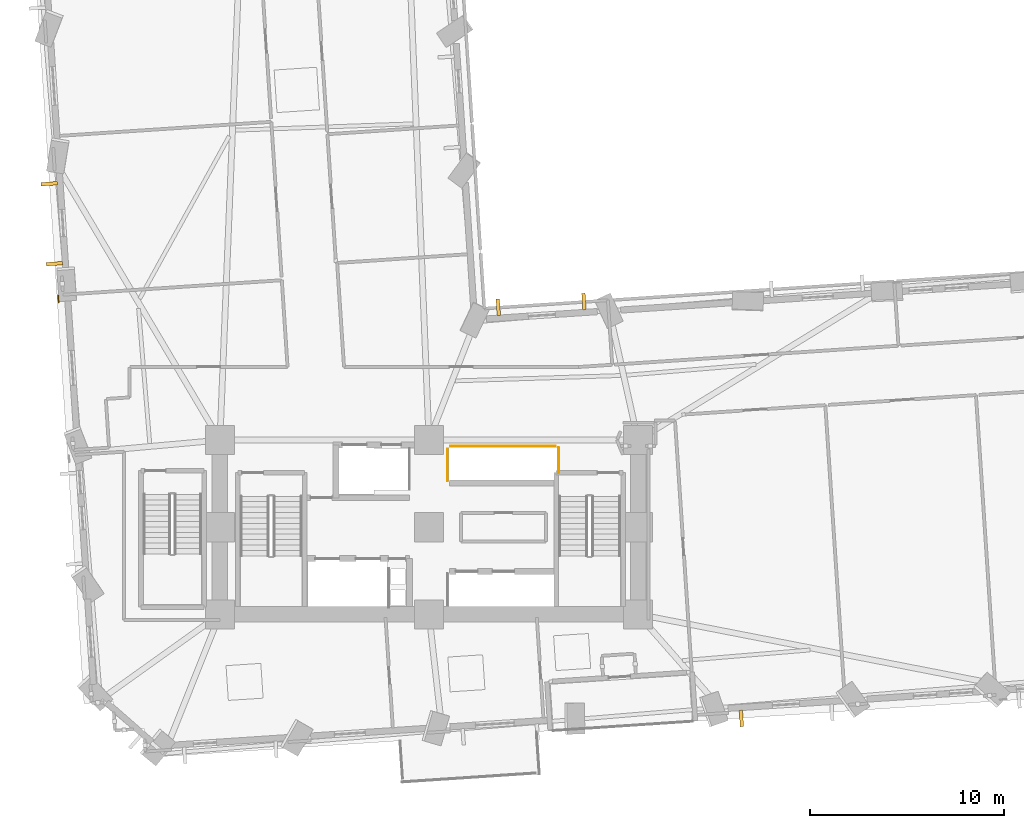
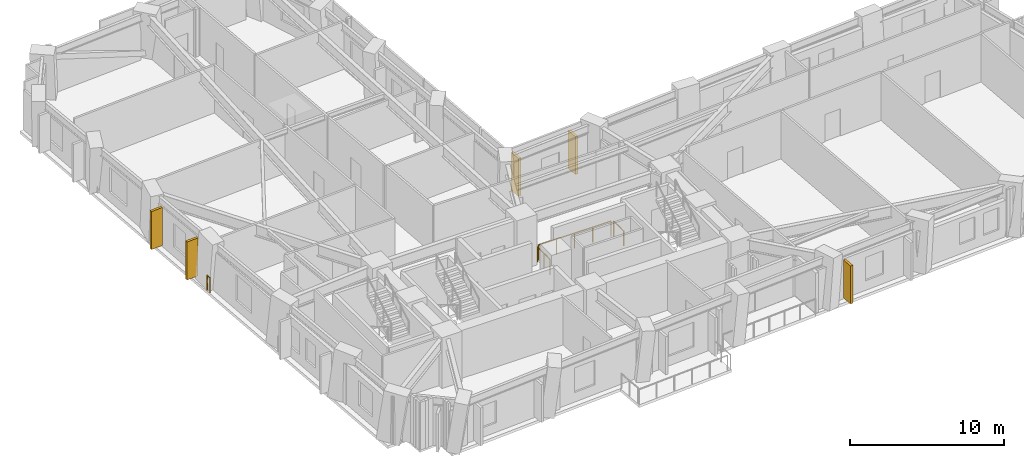
# One storey, part 12 of 14: 5 shading devices, 4 railings.
"""IFC4 building model written with IfcOpenShell, lengths in metres."""

from ifc_helpers import new_model, si_unit, direction, frame, origin, origin_2d, place, context, subcontext, project, spatial, rectangle, circle, extrude, material, layer, layer_set, type_object, element, save


model = new_model("IFC4")

# Units and contexts
model_context = context("Model", 3, precision=1e-05, world=origin(), true_north=direction((0.0, 1.0)))
body_context = subcontext(model_context, "Body", "Model", "MODEL_VIEW")
ifc_project = project(units=[si_unit("LENGTHUNIT", "METRE"), si_unit("AREAUNIT", "SQUARE_METRE"), si_unit("VOLUMEUNIT", "CUBIC_METRE"), si_unit("PLANEANGLEUNIT", "RADIAN"), si_unit("MASSUNIT", "GRAM", prefix="KILO")], contexts=[model_context])

# Site, building, storey
site_placement = place(None, origin())
site = spatial("IfcSite", under=ifc_project, at=site_placement, CompositionType="ELEMENT")
building_placement = place(site_placement, origin())
building = spatial("IfcBuilding", under=site, at=building_placement, Name="Gaonmaruhae Medical Tower", CompositionType="ELEMENT")
storey_placement = place(building_placement, frame((0.0, 0.0, 39.0)))
storey = spatial("IfcBuildingStorey", under=building, at=storey_placement, Name="L08", CompositionType="ELEMENT", Elevation=39.0)

# Railing
ifc_material_1 = material(Name="Stainless steel 316L and laminated safety glass", Category="steel")
ifc_layer = layer(ifc_material_1, 0.080078125)
ifc_layer_set = layer_set([ifc_layer], Name="Stainless steel 316L and laminated safety glass")
railing_type_1 = type_object("IfcRailingType", Name="GD-120 Outdoor Terrace Safety Glass & Steel Balustrade", PredefinedType="BALUSTRADE", material=ifc_layer_set)
railing_1_placement = place(storey_placement, frame((5.66650390625, 23.927490234375, 0.0)))
element("IfcRailing", 1, at=railing_1_placement, inside=storey, type_object=railing_type_1, Name="L08 Perimeter Slab Edge Safety Balustrade 02", PredefinedType="BALUSTRADE", context=body_context, shape_type="SweptSolid", body=[
    extrude(circle(Radius=0.02392578125, at=origin_2d()), frame((0.0, 0.0, 1.17578125), z_axis=(-0.066852985457, 0.997762836718, 0.0), x_axis=(-0.997762836718, -0.066852985457, 0.0)), (0.0, 0.0, 1.0), 0.339599609375),
    extrude(circle(Radius=0.02099609375, at=origin_2d()), origin(), (0.0, 0.0, 1.0), 1.15185546875),
    extrude(circle(Radius=0.02099609375, at=origin_2d()), frame((-0.022705078125, 0.3388671875, 0.0)), (0.0, 0.0, 1.0), 1.15185546875),
])

# Shading devices
ifc_material_2 = material(Name="Pigmented coral precast concrete C45/55", Category="concrete")
shading_device_type = type_object("IfcShadingDeviceType", Name="SD-FIN1 Tower Vertical Coral Precast Shading Fin", PredefinedType="USERDEFINED", material=ifc_material_2)
for number, where, z_axis, x_axis, name in (
    (2, (40.93994140625, 2.422119140625, 0.072509765625), (0.0, 0.0, 1.0), (-0.997801468292, -0.0662739004, 0.0), "L08 Vertical Coral Precast Shading Fin S05B"),
    (3, (28.380615234375, 23.66650390625, 0.08251953125), (0.0, 0.0, 1.0), (0.997802624838, 0.066256485469, 0.0), "L08 Vertical Coral Precast Shading Fin EN04"),
    (4, (32.80712890625, 23.960693359375, 0.08251953125), (0.0, 0.0, 1.0), (0.997802624838, 0.066256485469, 0.0), "L08 Vertical Coral Precast Shading Fin EN04B"),
    (5, (5.44921875, 25.916748046875, 0.08251953125), (0.0, 0.0, 1.0), (-0.0662739004, 0.997801468292, 0.0), "L08 Vertical Coral Precast Shading Fin W03"),
    (6, (5.1748046875, 30.045654296875, 0.08251953125), (0.0, 0.0, 1.0), (-0.0662739004, 0.997801468292, 0.0), "L08 Vertical Coral Precast Shading Fin W03B"),
):
    element("IfcShadingDevice", number, at=place(storey_placement, frame(where, z_axis=z_axis, x_axis=x_axis)), inside=storey, type_object=shading_device_type, Name=name, ObjectType="FIN", PredefinedType="USERDEFINED", context=body_context, shape_type="SweptSolid", body=[
        extrude(rectangle(XDim=0.179931640625, YDim=0.85009765625, at=origin_2d()), origin(), (0.0, 0.0, 1.0), 3.0),
    ])

# Railings
ifc_material_3 = material(Name="Stainless steel 304 balustrade", Category="steel")
railing_type_2 = type_object("IfcRailingType", Name="SG-112 Stair Well & Ramp Void Safety Balustrade", PredefinedType="BALUSTRADE", material=ifc_material_3)
railing_2_placement = place(storey_placement, frame((31.4951171875, 16.405029296875, 0.0)))
element("IfcRailing", 7, at=railing_2_placement, inside=storey, type_object=railing_type_2, Name="L08 Shaft Edge Safety Guard 13", PredefinedType="BALUSTRADE", context=body_context, shape_type="SweptSolid", body=[
    extrude(circle(Radius=0.02392578125, at=origin_2d()), frame((0.0, 0.0, 1.17578125), z_axis=(0.0, -1.0, 0.0), x_axis=(1.0, 0.0, 0.0)), (0.0, 0.0, 1.0), 1.284912109375),
    extrude(circle(Radius=0.02099609375, at=origin_2d()), origin(), (0.0, 0.0, 1.0), 1.15185546875),
    extrude(circle(Radius=0.02099609375, at=origin_2d()), frame((0.0, -1.284912109375, 0.0)), (0.0, 0.0, 1.0), 1.15185546875),
])
railing_3_placement = place(storey_placement, frame((25.7548828125, 14.695068359375, 0.0)))
element("IfcRailing", 8, at=railing_3_placement, inside=storey, type_object=railing_type_2, Name="L08 Shaft Edge Safety Guard 14", PredefinedType="BALUSTRADE", context=body_context, shape_type="SweptSolid", body=[
    extrude(circle(Radius=0.02392578125, at=origin_2d()), frame((0.0, 0.0, 1.17578125), z_axis=(0.0, 1.0, 0.0), x_axis=(-1.0, 0.0, 0.0)), (0.0, 0.0, 1.0), 1.635009765625),
    extrude(circle(Radius=0.02099609375, at=origin_2d()), origin(), (0.0, 0.0, 1.0), 1.15185546875),
    extrude(circle(Radius=0.02099609375, at=origin_2d()), frame((0.0, 0.8173828125, 0.0)), (0.0, 0.0, 1.0), 1.15185546875),
    extrude(circle(Radius=0.02099609375, at=origin_2d()), frame((0.0, 1.635009765625, 0.0)), (0.0, 0.0, 1.0), 1.15185546875),
])
railing_4_placement = place(storey_placement, frame((25.919921875, 16.4951171875, 0.0)))
element("IfcRailing", 9, at=railing_4_placement, inside=storey, type_object=railing_type_2, Name="L08 Shaft Edge Safety Guard 15", PredefinedType="BALUSTRADE", context=body_context, shape_type="SweptSolid", body=[
    extrude(circle(Radius=0.02392578125, at=origin_2d()), frame((0.0, 0.0, 1.17578125), z_axis=(1.0, 0.0, 0.0), x_axis=(0.0, 1.0, 0.0)), (0.0, 0.0, 1.0), 5.41015625),
    extrude(circle(Radius=0.02099609375, at=origin_2d()), origin(), (0.0, 0.0, 1.0), 1.15185546875),
    extrude(circle(Radius=0.02099609375, at=origin_2d()), frame((1.3525390625, 0.0, 0.0)), (0.0, 0.0, 1.0), 1.15185546875),
    extrude(circle(Radius=0.02099609375, at=origin_2d()), frame((2.705078125, 0.0, 0.0)), (0.0, 0.0, 1.0), 1.15185546875),
    extrude(circle(Radius=0.02099609375, at=origin_2d()), frame((4.0576171875, 0.0, 0.0)), (0.0, 0.0, 1.0), 1.15185546875),
    extrude(circle(Radius=0.02099609375, at=origin_2d()), frame((5.41015625, 0.0, 0.0)), (0.0, 0.0, 1.0), 1.15185546875),
])

save(model, "model.ifc")
